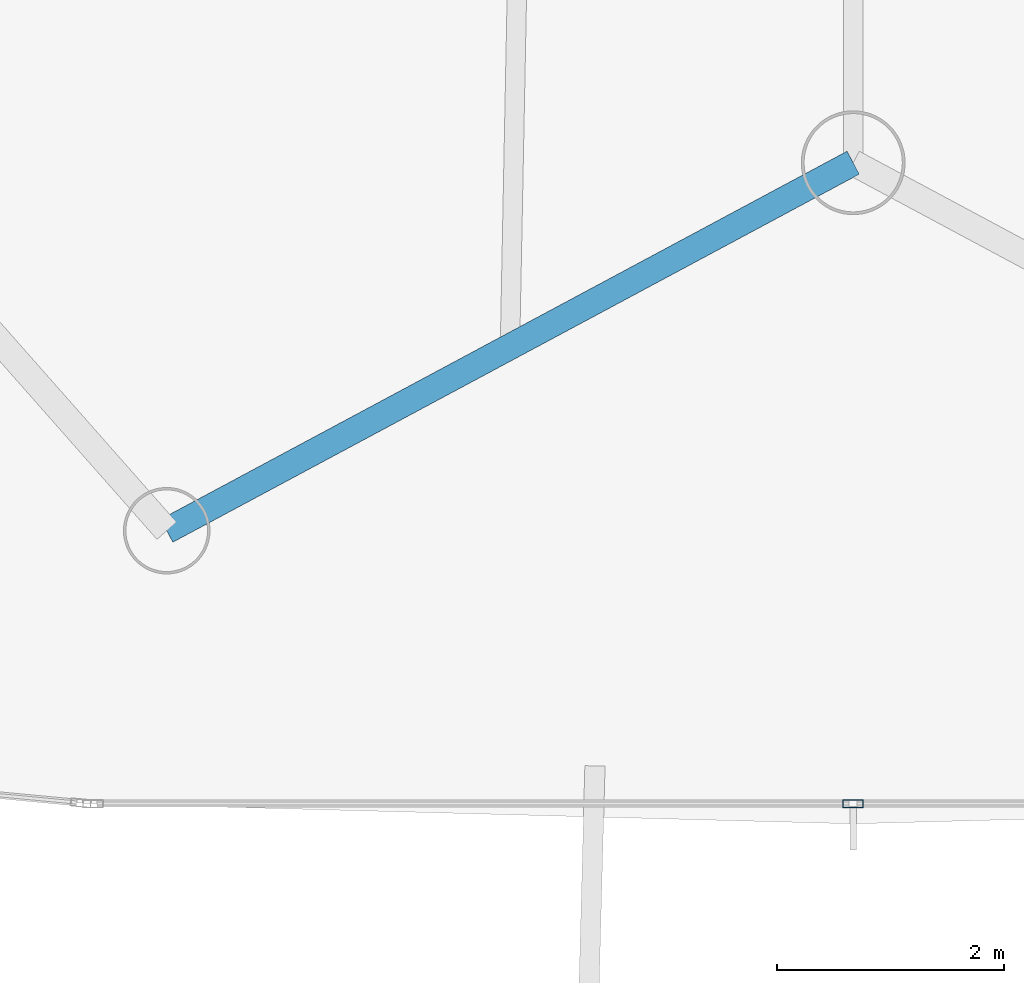
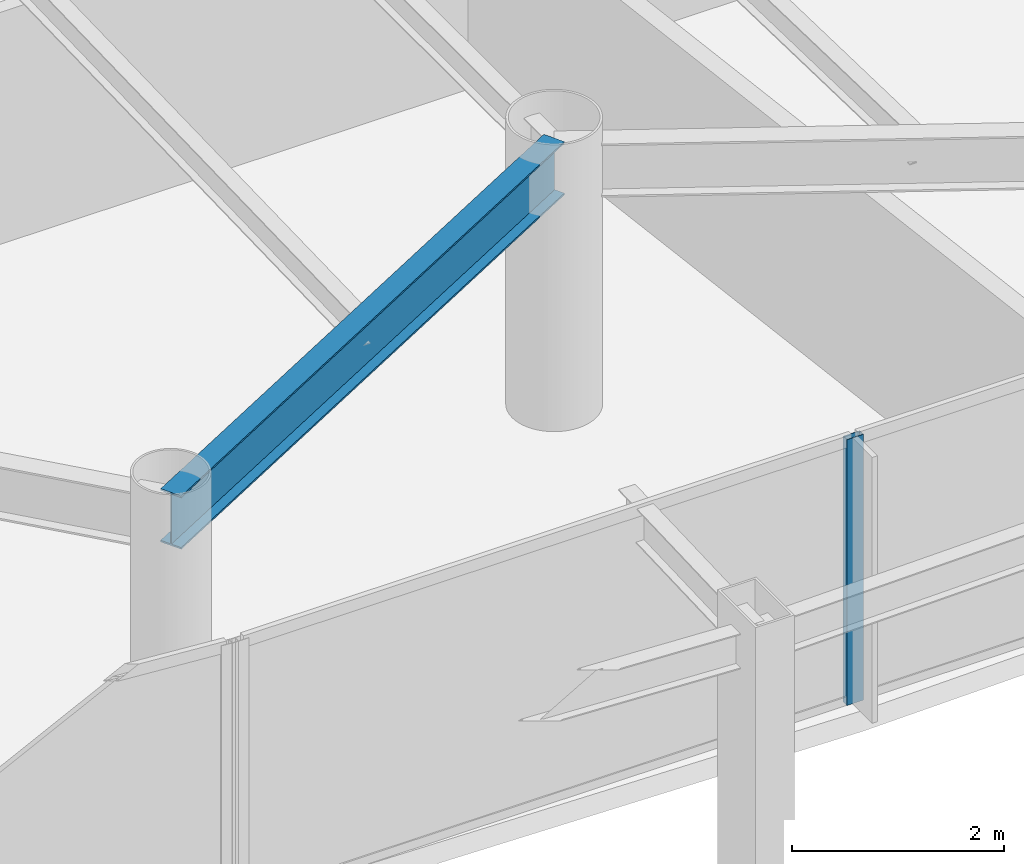
# One storey, part 8 of 35: 1 beam, 1 member, 1 element without a shape of its own.
"""IFC4 building model written with IfcOpenShell, lengths in metres."""

from ifc_helpers import new_model, si_unit, direction, frame, origin, origin_2d, place, context, subcontext, project, spatial, hollow_rectangle, i_section, extrude, material, layer, layer_set, material_profile, profile_set, type_object, element, aggregate, save


model = new_model("IFC4")

# Units and contexts
model_context = context("Model", 3, precision=1e-05, world=origin(), true_north=direction((0.0, 1.0)))
body_context = subcontext(model_context, "Body", "Model", "MODEL_VIEW")
ifc_project = project(units=[si_unit("LENGTHUNIT", "METRE"), si_unit("AREAUNIT", "SQUARE_METRE"), si_unit("VOLUMEUNIT", "CUBIC_METRE"), si_unit("PLANEANGLEUNIT", "RADIAN"), si_unit("MASSUNIT", "GRAM", prefix="KILO")], contexts=[model_context])

# Site, building, storey
site_placement = place(None, origin())
site = spatial("IfcSite", under=ifc_project, at=site_placement, CompositionType="ELEMENT")
building_placement = place(site_placement, origin())
building = spatial("IfcBuilding", under=site, at=building_placement, Name="Orvanel Arch Residences", CompositionType="ELEMENT")
storey_placement = place(building_placement, frame((0.0, 0.0, 26.89990234375)))
storey = spatial("IfcBuildingStorey", under=building, at=storey_placement, Name="L06", CompositionType="ELEMENT", Elevation=26.89990234375)

# Curtain wall, member
ifc_material_1 = material(Name="Bronze-anodised aluminium AA6063-T6", Category="aluminium")
ifc_layer = layer(ifc_material_1, 0.179931640625)
ifc_layer_set = layer_set([ifc_layer], Name="Bronze-anodised aluminium AA6063-T6")
curtain_wall_type = type_object("IfcCurtainWallType", Name="CW2-LOW-SYS", PredefinedType="NOTDEFINED", material=ifc_layer_set)
curtain_wall_placement = place(storey_placement, origin())
curtain_wall = element("IfcCurtainWall", 1, at=curtain_wall_placement, inside=storey, type_object=curtain_wall_type, Name="L06 CW2-LOW-SYS Unitised Curtain Wall", PredefinedType="NOTDEFINED")
ifc_material_profile_1 = material_profile(ifc_material_1, hollow_rectangle(XDim=0.070068359375, YDim=0.179931640625, WallThickness=0.00439453125, at=origin_2d()), Name="ALU180x70x4.5")
ifc_profile_set_1 = profile_set([ifc_material_profile_1], Name="Bronze-anodised aluminium AA6063-T6")
member_type = type_object("IfcMemberType", Name="MUL-180x70", PredefinedType="MULLION", material=ifc_profile_set_1)
member_placement = place(storey_placement, frame((33.0, 1.2041015625, 0.0), z_axis=(0.0, 0.0, 1.0), x_axis=(0.0, 1.0, 0.0)))
member = element("IfcMember", 2, at=member_placement, type_object=member_type, Name="CW-S2 mullion 2", PredefinedType="MULLION", context=body_context, shape_type="SweptSolid", body=[
    extrude(hollow_rectangle(XDim=0.070068359375, YDim=0.179931640625, WallThickness=0.00439453125, at=origin_2d()), origin(), (0.0, 0.0, 1.0), 3.06005859375),
])
aggregate(curtain_wall, [member])

# Beam
ifc_material_2 = material(Name="Structural steel AS/NZS 3679.1 Grade 300 (300 MPa)", Category="steel")
ifc_material_profile_2 = material_profile(ifc_material_2, i_section(OverallWidth=0.22900390625, OverallDepth=0.612060546875, WebThickness=0.011962890625, FlangeThickness=0.01953125, at=origin_2d()), Name="610UB125")
ifc_profile_set_2 = profile_set([ifc_material_profile_2], Name="Structural steel AS/NZS 3679.1 Grade 300 (300 MPa)")
beam_type = type_object("IfcBeamType", Name="SP-610UB", PredefinedType="SPANDREL", material=ifc_profile_set_2)
beam_placement = place(storey_placement, frame((26.9580078125, 3.60498046875, 2.754150390625), z_axis=(0.881344400551, 0.472474388319, 0.0), x_axis=(-0.472474388319, 0.881344400551, 0.0)))
element("IfcBeam", 3, at=beam_placement, inside=storey, type_object=beam_type, Name="L06 Perimeter Spandrel Beam 06", PredefinedType="SPANDREL", context=body_context, shape_type="SweptSolid", body=[
    extrude(i_section(OverallWidth=0.22900390625, OverallDepth=0.612060546875, WebThickness=0.011962890625, FlangeThickness=0.01953125, at=origin_2d()), origin(), (0.0, 0.0, 1.0), 6.85546875),
])

save(model, "model.ifc")
